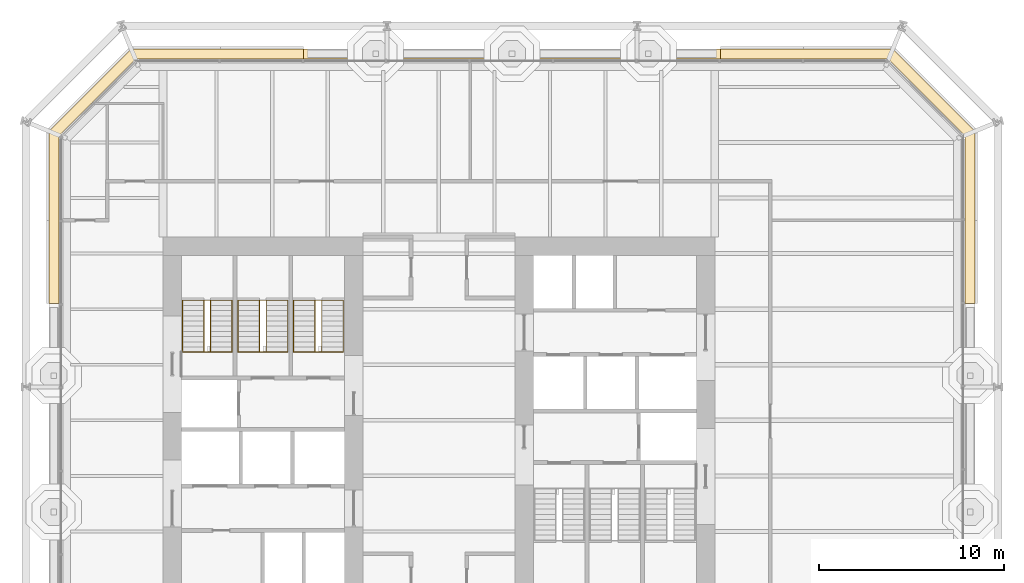
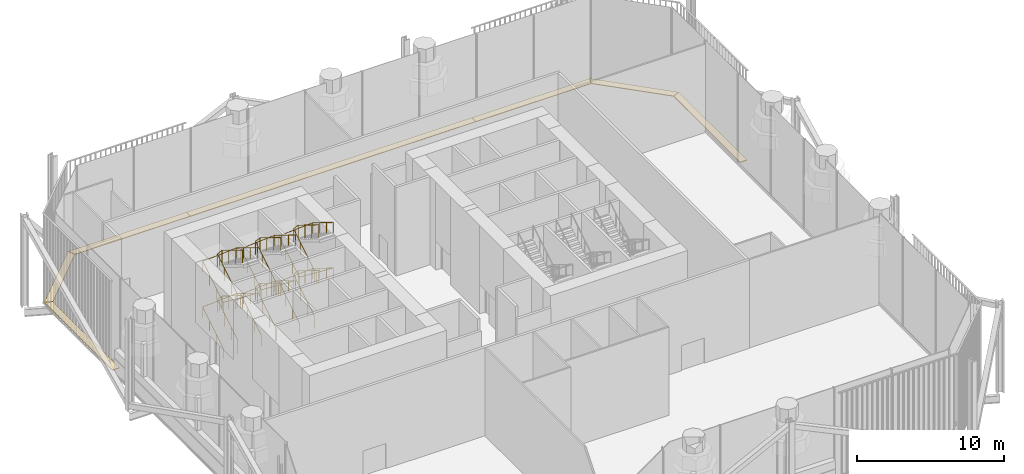
# One storey, part 17 of 18: 7 coverings, 6 railings.
"""IFC4 building model written with IfcOpenShell, lengths in metres."""

from ifc_helpers import new_model, si_unit, direction, frame, origin, origin_2d, place, context, subcontext, project, spatial, polyline, circle, outline, extrude, material, layer, layer_set, type_object, element, save


model = new_model("IFC4")

# Units and contexts
model_context = context("Model", 3, precision=1e-05, world=origin(), true_north=direction((0.0, 1.0)))
body_context = subcontext(model_context, "Body", "Model", "MODEL_VIEW")
ifc_project = project(units=[si_unit("LENGTHUNIT", "METRE"), si_unit("AREAUNIT", "SQUARE_METRE"), si_unit("VOLUMEUNIT", "CUBIC_METRE"), si_unit("PLANEANGLEUNIT", "RADIAN"), si_unit("MASSUNIT", "GRAM", prefix="KILO")], contexts=[model_context])

# Site, building, storey
site_placement = place(None, origin())
site = spatial("IfcSite", under=ifc_project, at=site_placement, CompositionType="ELEMENT")
building_placement = place(site_placement, origin())
building = spatial("IfcBuilding", under=site, at=building_placement, Name="Millrace Tower", CompositionType="ELEMENT")
storey_placement = place(building_placement, frame((0.0, 0.0, 112.800048828125)))
storey = spatial("IfcBuildingStorey", under=building, at=storey_placement, Name="L25", CompositionType="ELEMENT", Elevation=112.800048828125)

# Coverings
ifc_material_1 = material(Name="Steel ASTM A36", Category="steel")
ifc_layer = layer(ifc_material_1, 0.050048828125)
ifc_layer_set = layer_set([ifc_layer], Name="Steel ASTM A36")
covering_type = type_object("IfcCoveringType", Name="CAVITY CATWALK steel grating", PredefinedType="FLOORING", material=ifc_layer_set)
placement = place(storey_placement, frame((0.0, 0.0, 0.099853515625)))
element("IfcCovering", 1, at=placement, inside=storey, type_object=covering_type, Name="Cavity catwalk grating B-F04 L25 3", PredefinedType="FLOORING", context=body_context, shape_type="SweptSolid", body=[
    extrude(outline(polyline([(28.949951171875, 6.300048828125), (28.949951171875, 15.610595703125), (28.39990234375, 15.3828125), (28.39990234375, 6.300048828125), (28.949951171875, 6.300048828125)])), origin(), (0.0, 0.0, 1.0), 0.050048828125),
])
element("IfcCovering", 2, at=placement, inside=storey, type_object=covering_type, Name="Cavity catwalk grating B-F05 L25 1", PredefinedType="FLOORING", context=body_context, shape_type="SweptSolid", body=[
    extrude(outline(polyline([(28.949951171875, 15.610595703125), (24.5107421875, 20.050048828125), (24.282958984375, 19.5), (28.39990234375, 15.3828125), (28.949951171875, 15.610595703125)])), origin(), (0.0, 0.0, 1.0), 0.050048828125),
])
element("IfcCovering", 3, at=placement, inside=storey, type_object=covering_type, Name="Cavity catwalk grating B-F06 L25 1", PredefinedType="FLOORING", context=body_context, shape_type="SweptSolid", body=[
    extrude(outline(polyline([(24.5107421875, 20.050048828125), (15.199951171875, 20.050048828125), (15.199951171875, 19.5), (24.282958984375, 19.5), (24.5107421875, 20.050048828125)])), origin(), (0.0, 0.0, 1.0), 0.050048828125),
])
element("IfcCovering", 4, at=placement, inside=storey, type_object=covering_type, Name="Cavity catwalk grating B-F06 L25 2", PredefinedType="FLOORING", context=body_context, shape_type="SweptSolid", body=[
    extrude(outline(polyline([(15.199951171875, 20.050048828125), (-7.300048828125, 20.050048828125), (-7.300048828125, 19.5), (15.199951171875, 19.5), (15.199951171875, 20.050048828125)])), origin(), (0.0, 0.0, 1.0), 0.050048828125),
])
element("IfcCovering", 5, at=placement, inside=storey, type_object=covering_type, Name="Cavity catwalk grating B-F06 L25 3", PredefinedType="FLOORING", context=body_context, shape_type="SweptSolid", body=[
    extrude(outline(polyline([(-7.300048828125, 20.050048828125), (-16.610595703125, 20.050048828125), (-16.3828125, 19.5), (-7.300048828125, 19.5), (-7.300048828125, 20.050048828125)])), origin(), (0.0, 0.0, 1.0), 0.050048828125),
])
element("IfcCovering", 6, at=placement, inside=storey, type_object=covering_type, Name="Cavity catwalk grating B-F07 L25 1", PredefinedType="FLOORING", context=body_context, shape_type="SweptSolid", body=[
    extrude(outline(polyline([(-16.610595703125, 20.050048828125), (-21.050048828125, 15.610595703125), (-20.5, 15.3828125), (-16.3828125, 19.5), (-16.610595703125, 20.050048828125)])), origin(), (0.0, 0.0, 1.0), 0.050048828125),
])
element("IfcCovering", 7, at=placement, inside=storey, type_object=covering_type, Name="Cavity catwalk grating B-F08 L25 1", PredefinedType="FLOORING", context=body_context, shape_type="SweptSolid", body=[
    extrude(outline(polyline([(-21.050048828125, 15.610595703125), (-21.050048828125, 6.300048828125), (-20.5, 6.300048828125), (-20.5, 15.3828125), (-21.050048828125, 15.610595703125)])), origin(), (0.0, 0.0, 1.0), 0.050048828125),
])

# Railings
ifc_material_2 = material(Name="Stainless steel ASTM A240 type 316", Category="steel")
railing_type_1 = type_object("IfcRailingType", Name="Stair guard 1100", PredefinedType="GUARDRAIL", material=ifc_material_2)
railing_1_placement = place(storey_placement, frame((-12.679931640625, 3.679931640625, 0.172607421875)))
element("IfcRailing", 8, at=railing_1_placement, inside=storey, type_object=railing_type_1, Name="Stair guard 1 W L25", PredefinedType="GUARDRAIL", context=body_context, shape_type="SweptSolid", body=[
    extrude(circle(Radius=0.02392578125, at=origin_2d()), frame((0.0, 0.0, 1.076171875), z_axis=(0.0, 0.851089632645, 0.525020415988), x_axis=(-1.0, 0.0, 0.0)), (0.0, 0.0, 1.0), 3.2900390625),
    extrude(circle(Radius=0.02392578125, at=origin_2d()), frame((0.0, 2.800048828125, 2.80322265625), z_axis=(0.901408511443, 0.0, 0.432969624221), x_axis=(0.0, 1.0, 0.0)), (0.0, 0.0, 1.0), 0.399169921875),
    extrude(circle(Radius=0.02392578125, at=origin_2d()), frame((0.35986328125, 2.800048828125, 2.97607421875), z_axis=(0.0, -0.851089632645, 0.525020415988), x_axis=(1.0, 0.0, 0.0)), (0.0, 0.0, 1.0), 3.2900390625),
    extrude(circle(Radius=0.02392578125, at=origin_2d()), frame((0.35986328125, 0.0, 4.70361328125), z_axis=(-0.901647110569, 0.0, 0.432472528611), x_axis=(0.0, -1.0, 0.0)), (0.0, 0.0, 1.0), 0.399169921875),
    extrude(circle(Radius=0.02392578125, at=origin_2d()), frame((0.0, 0.0, 4.8759765625), z_axis=(0.0, 0.851089632645, 0.525020415988), x_axis=(-1.0, 0.0, 0.0)), (0.0, 0.0, 1.0), 3.2900390625),
    extrude(circle(Radius=0.02392578125, at=origin_2d()), frame((0.0, 2.800048828125, 6.603515625), z_axis=(0.901647110569, 0.0, 0.432472528611), x_axis=(0.0, 1.0, 0.0)), (0.0, 0.0, 1.0), 0.399169921875),
    extrude(circle(Radius=0.02392578125, at=origin_2d()), frame((0.35986328125, 2.800048828125, 6.77587890625), z_axis=(0.0, -0.851089632645, 0.525020415988), x_axis=(1.0, 0.0, 0.0)), (0.0, 0.0, 1.0), 3.2900390625),
    extrude(circle(Radius=0.02099609375, at=origin_2d()), origin(), (0.0, 0.0, 1.0), 1.052001953125),
    extrude(circle(Radius=0.02099609375, at=origin_2d()), frame((0.0, 0.933349609375, 0.57568359375)), (0.0, 0.0, 1.0), 1.052001953125),
    extrude(circle(Radius=0.02099609375, at=origin_2d()), frame((0.0, 1.86669921875, 1.151611328125)), (0.0, 0.0, 1.0), 1.052001953125),
    extrude(circle(Radius=0.02099609375, at=origin_2d()), frame((0.0, 2.800048828125, 1.727294921875)), (0.0, 0.0, 1.0), 1.052001953125),
    extrude(circle(Radius=0.02099609375, at=origin_2d()), frame((0.35986328125, 2.800048828125, 1.900146484375)), (0.0, 0.0, 1.0), 1.052001953125),
    extrude(circle(Radius=0.02099609375, at=origin_2d()), frame((0.35986328125, 1.86669921875, 2.475830078125)), (0.0, 0.0, 1.0), 1.052001953125),
    extrude(circle(Radius=0.02099609375, at=origin_2d()), frame((0.35986328125, 0.933349609375, 3.0517578125)), (0.0, 0.0, 1.0), 1.052001953125),
    extrude(circle(Radius=0.02099609375, at=origin_2d()), frame((0.35986328125, 0.0, 3.62744140625)), (0.0, 0.0, 1.0), 1.052001953125),
    extrude(circle(Radius=0.02099609375, at=origin_2d()), frame((0.0, 0.0, 3.800048828125)), (0.0, 0.0, 1.0), 1.052001953125),
    extrude(circle(Radius=0.02099609375, at=origin_2d()), frame((0.0, 0.933349609375, 4.375732421875)), (0.0, 0.0, 1.0), 1.052001953125),
    extrude(circle(Radius=0.02099609375, at=origin_2d()), frame((0.0, 1.86669921875, 4.95166015625)), (0.0, 0.0, 1.0), 1.052001953125),
    extrude(circle(Radius=0.02099609375, at=origin_2d()), frame((0.0, 2.800048828125, 5.52734375)), (0.0, 0.0, 1.0), 1.052001953125),
    extrude(circle(Radius=0.02099609375, at=origin_2d()), frame((0.35986328125, 2.800048828125, 5.699951171875)), (0.0, 0.0, 1.0), 1.052001953125),
    extrude(circle(Radius=0.02099609375, at=origin_2d()), frame((0.35986328125, 1.86669921875, 6.275634765625)), (0.0, 0.0, 1.0), 1.052001953125),
    extrude(circle(Radius=0.02099609375, at=origin_2d()), frame((0.35986328125, 0.933349609375, 6.8515625)), (0.0, 0.0, 1.0), 1.052001953125),
    extrude(circle(Radius=0.02099609375, at=origin_2d()), frame((0.35986328125, 0.0, 7.42724609375)), (0.0, 0.0, 1.0), 1.052001953125),
])
railing_2_placement = place(storey_placement, frame((-9.679931640625, 3.679931640625, 0.172607421875)))
element("IfcRailing", 9, at=railing_2_placement, inside=storey, type_object=railing_type_1, Name="Stair guard 2 W L25", PredefinedType="GUARDRAIL", context=body_context, shape_type="SweptSolid", body=[
    extrude(circle(Radius=0.02392578125, at=origin_2d()), frame((0.0, 0.0, 1.076171875), z_axis=(0.0, 0.851089632645, 0.525020415988), x_axis=(-1.0, 0.0, 0.0)), (0.0, 0.0, 1.0), 3.2900390625),
    extrude(circle(Radius=0.02392578125, at=origin_2d()), frame((0.0, 2.800048828125, 2.80322265625), z_axis=(0.901408511443, 0.0, 0.432969624221), x_axis=(0.0, 1.0, 0.0)), (0.0, 0.0, 1.0), 0.399169921875),
    extrude(circle(Radius=0.02392578125, at=origin_2d()), frame((0.35986328125, 2.800048828125, 2.97607421875), z_axis=(0.0, -0.851089632645, 0.525020415988), x_axis=(1.0, 0.0, 0.0)), (0.0, 0.0, 1.0), 3.2900390625),
    extrude(circle(Radius=0.02392578125, at=origin_2d()), frame((0.35986328125, 0.0, 4.70361328125), z_axis=(-0.901647110569, 0.0, 0.432472528611), x_axis=(0.0, -1.0, 0.0)), (0.0, 0.0, 1.0), 0.399169921875),
    extrude(circle(Radius=0.02392578125, at=origin_2d()), frame((0.0, 0.0, 4.8759765625), z_axis=(0.0, 0.851089632645, 0.525020415988), x_axis=(-1.0, 0.0, 0.0)), (0.0, 0.0, 1.0), 3.2900390625),
    extrude(circle(Radius=0.02392578125, at=origin_2d()), frame((0.0, 2.800048828125, 6.603515625), z_axis=(0.901647110569, 0.0, 0.432472528611), x_axis=(0.0, 1.0, 0.0)), (0.0, 0.0, 1.0), 0.399169921875),
    extrude(circle(Radius=0.02392578125, at=origin_2d()), frame((0.35986328125, 2.800048828125, 6.77587890625), z_axis=(0.0, -0.851089632645, 0.525020415988), x_axis=(1.0, 0.0, 0.0)), (0.0, 0.0, 1.0), 3.2900390625),
    extrude(circle(Radius=0.02099609375, at=origin_2d()), origin(), (0.0, 0.0, 1.0), 1.052001953125),
    extrude(circle(Radius=0.02099609375, at=origin_2d()), frame((0.0, 0.933349609375, 0.57568359375)), (0.0, 0.0, 1.0), 1.052001953125),
    extrude(circle(Radius=0.02099609375, at=origin_2d()), frame((0.0, 1.86669921875, 1.151611328125)), (0.0, 0.0, 1.0), 1.052001953125),
    extrude(circle(Radius=0.02099609375, at=origin_2d()), frame((0.0, 2.800048828125, 1.727294921875)), (0.0, 0.0, 1.0), 1.052001953125),
    extrude(circle(Radius=0.02099609375, at=origin_2d()), frame((0.35986328125, 2.800048828125, 1.900146484375)), (0.0, 0.0, 1.0), 1.052001953125),
    extrude(circle(Radius=0.02099609375, at=origin_2d()), frame((0.35986328125, 1.86669921875, 2.475830078125)), (0.0, 0.0, 1.0), 1.052001953125),
    extrude(circle(Radius=0.02099609375, at=origin_2d()), frame((0.35986328125, 0.933349609375, 3.0517578125)), (0.0, 0.0, 1.0), 1.052001953125),
    extrude(circle(Radius=0.02099609375, at=origin_2d()), frame((0.35986328125, 0.0, 3.62744140625)), (0.0, 0.0, 1.0), 1.052001953125),
    extrude(circle(Radius=0.02099609375, at=origin_2d()), frame((0.0, 0.0, 3.800048828125)), (0.0, 0.0, 1.0), 1.052001953125),
    extrude(circle(Radius=0.02099609375, at=origin_2d()), frame((0.0, 0.933349609375, 4.375732421875)), (0.0, 0.0, 1.0), 1.052001953125),
    extrude(circle(Radius=0.02099609375, at=origin_2d()), frame((0.0, 1.86669921875, 4.95166015625)), (0.0, 0.0, 1.0), 1.052001953125),
    extrude(circle(Radius=0.02099609375, at=origin_2d()), frame((0.0, 2.800048828125, 5.52734375)), (0.0, 0.0, 1.0), 1.052001953125),
    extrude(circle(Radius=0.02099609375, at=origin_2d()), frame((0.35986328125, 2.800048828125, 5.699951171875)), (0.0, 0.0, 1.0), 1.052001953125),
    extrude(circle(Radius=0.02099609375, at=origin_2d()), frame((0.35986328125, 1.86669921875, 6.275634765625)), (0.0, 0.0, 1.0), 1.052001953125),
    extrude(circle(Radius=0.02099609375, at=origin_2d()), frame((0.35986328125, 0.933349609375, 6.8515625)), (0.0, 0.0, 1.0), 1.052001953125),
    extrude(circle(Radius=0.02099609375, at=origin_2d()), frame((0.35986328125, 0.0, 7.42724609375)), (0.0, 0.0, 1.0), 1.052001953125),
])
railing_3_placement = place(storey_placement, frame((-6.679931640625, 3.679931640625, 0.172607421875)))
element("IfcRailing", 10, at=railing_3_placement, inside=storey, type_object=railing_type_1, Name="Stair guard 3 W L25", PredefinedType="GUARDRAIL", context=body_context, shape_type="SweptSolid", body=[
    extrude(circle(Radius=0.02392578125, at=origin_2d()), frame((0.0, 0.0, 1.076171875), z_axis=(0.0, 0.851089632645, 0.525020415988), x_axis=(-1.0, 0.0, 0.0)), (0.0, 0.0, 1.0), 3.2900390625),
    extrude(circle(Radius=0.02392578125, at=origin_2d()), frame((0.0, 2.800048828125, 2.80322265625), z_axis=(0.901408511443, 0.0, 0.432969624221), x_axis=(0.0, 1.0, 0.0)), (0.0, 0.0, 1.0), 0.399169921875),
    extrude(circle(Radius=0.02392578125, at=origin_2d()), frame((0.35986328125, 2.800048828125, 2.97607421875), z_axis=(0.0, -0.851089632645, 0.525020415988), x_axis=(1.0, 0.0, 0.0)), (0.0, 0.0, 1.0), 3.2900390625),
    extrude(circle(Radius=0.02392578125, at=origin_2d()), frame((0.35986328125, 0.0, 4.70361328125), z_axis=(-0.901647110569, 0.0, 0.432472528611), x_axis=(0.0, -1.0, 0.0)), (0.0, 0.0, 1.0), 0.399169921875),
    extrude(circle(Radius=0.02392578125, at=origin_2d()), frame((0.0, 0.0, 4.8759765625), z_axis=(0.0, 0.851089632645, 0.525020415988), x_axis=(-1.0, 0.0, 0.0)), (0.0, 0.0, 1.0), 3.2900390625),
    extrude(circle(Radius=0.02392578125, at=origin_2d()), frame((0.0, 2.800048828125, 6.603515625), z_axis=(0.901647110569, 0.0, 0.432472528611), x_axis=(0.0, 1.0, 0.0)), (0.0, 0.0, 1.0), 0.399169921875),
    extrude(circle(Radius=0.02392578125, at=origin_2d()), frame((0.35986328125, 2.800048828125, 6.77587890625), z_axis=(0.0, -0.851089632645, 0.525020415988), x_axis=(1.0, 0.0, 0.0)), (0.0, 0.0, 1.0), 3.2900390625),
    extrude(circle(Radius=0.02099609375, at=origin_2d()), origin(), (0.0, 0.0, 1.0), 1.052001953125),
    extrude(circle(Radius=0.02099609375, at=origin_2d()), frame((0.0, 0.933349609375, 0.57568359375)), (0.0, 0.0, 1.0), 1.052001953125),
    extrude(circle(Radius=0.02099609375, at=origin_2d()), frame((0.0, 1.86669921875, 1.151611328125)), (0.0, 0.0, 1.0), 1.052001953125),
    extrude(circle(Radius=0.02099609375, at=origin_2d()), frame((0.0, 2.800048828125, 1.727294921875)), (0.0, 0.0, 1.0), 1.052001953125),
    extrude(circle(Radius=0.02099609375, at=origin_2d()), frame((0.35986328125, 2.800048828125, 1.900146484375)), (0.0, 0.0, 1.0), 1.052001953125),
    extrude(circle(Radius=0.02099609375, at=origin_2d()), frame((0.35986328125, 1.86669921875, 2.475830078125)), (0.0, 0.0, 1.0), 1.052001953125),
    extrude(circle(Radius=0.02099609375, at=origin_2d()), frame((0.35986328125, 0.933349609375, 3.0517578125)), (0.0, 0.0, 1.0), 1.052001953125),
    extrude(circle(Radius=0.02099609375, at=origin_2d()), frame((0.35986328125, 0.0, 3.62744140625)), (0.0, 0.0, 1.0), 1.052001953125),
    extrude(circle(Radius=0.02099609375, at=origin_2d()), frame((0.0, 0.0, 3.800048828125)), (0.0, 0.0, 1.0), 1.052001953125),
    extrude(circle(Radius=0.02099609375, at=origin_2d()), frame((0.0, 0.933349609375, 4.375732421875)), (0.0, 0.0, 1.0), 1.052001953125),
    extrude(circle(Radius=0.02099609375, at=origin_2d()), frame((0.0, 1.86669921875, 4.95166015625)), (0.0, 0.0, 1.0), 1.052001953125),
    extrude(circle(Radius=0.02099609375, at=origin_2d()), frame((0.0, 2.800048828125, 5.52734375)), (0.0, 0.0, 1.0), 1.052001953125),
    extrude(circle(Radius=0.02099609375, at=origin_2d()), frame((0.35986328125, 2.800048828125, 5.699951171875)), (0.0, 0.0, 1.0), 1.052001953125),
    extrude(circle(Radius=0.02099609375, at=origin_2d()), frame((0.35986328125, 1.86669921875, 6.275634765625)), (0.0, 0.0, 1.0), 1.052001953125),
    extrude(circle(Radius=0.02099609375, at=origin_2d()), frame((0.35986328125, 0.933349609375, 6.8515625)), (0.0, 0.0, 1.0), 1.052001953125),
    extrude(circle(Radius=0.02099609375, at=origin_2d()), frame((0.35986328125, 0.0, 7.42724609375)), (0.0, 0.0, 1.0), 1.052001953125),
])
ifc_material_3 = material(Name="Stainless steel ASTM A240 type 316", Category="steel")
railing_type_2 = type_object("IfcRailingType", Name="Stair handrail 900", PredefinedType="HANDRAIL", material=ifc_material_3)
railing_4_placement = place(storey_placement, frame((-13.840087890625, 3.679931640625, 0.172607421875)))
element("IfcRailing", 11, at=railing_4_placement, inside=storey, type_object=railing_type_2, Name="Stair handrail 1 W L25", PredefinedType="HANDRAIL", context=body_context, shape_type="SweptSolid", body=[
    extrude(circle(Radius=0.02392578125, at=origin_2d()), frame((0.0, 0.0, 0.8759765625), z_axis=(0.0, 0.851089632645, 0.525020415988), x_axis=(-1.0, 0.0, 0.0)), (0.0, 0.0, 1.0), 3.2900390625),
    extrude(circle(Radius=0.02392578125, at=origin_2d()), frame((0.0, 2.800048828125, 2.60302734375), z_axis=(0.997926815885, 0.0, 0.064358916528), x_axis=(0.0, 1.0, 0.0)), (0.0, 0.0, 1.0), 2.685791015625),
    extrude(circle(Radius=0.02392578125, at=origin_2d()), frame((2.68017578125, 2.800048828125, 2.77587890625), z_axis=(0.0, -0.851089632645, 0.525020415988), x_axis=(1.0, 0.0, 0.0)), (0.0, 0.0, 1.0), 3.2900390625),
    extrude(circle(Radius=0.02392578125, at=origin_2d()), frame((2.68017578125, 0.0, 4.50341796875), z_axis=(-0.997932650066, 0.0, 0.064268389834), x_axis=(0.0, -1.0, 0.0)), (0.0, 0.0, 1.0), 2.685791015625),
    extrude(circle(Radius=0.02392578125, at=origin_2d()), frame((0.0, 0.0, 4.67578125), z_axis=(0.0, 0.851089632645, 0.525020415988), x_axis=(-1.0, 0.0, 0.0)), (0.0, 0.0, 1.0), 3.2900390625),
    extrude(circle(Radius=0.02392578125, at=origin_2d()), frame((0.0, 2.800048828125, 6.4033203125), z_axis=(0.997932650066, 0.0, 0.064268389834), x_axis=(0.0, 1.0, 0.0)), (0.0, 0.0, 1.0), 2.685791015625),
    extrude(circle(Radius=0.02392578125, at=origin_2d()), frame((2.68017578125, 2.800048828125, 6.57568359375), z_axis=(0.0, -0.851089632645, 0.525020415988), x_axis=(1.0, 0.0, 0.0)), (0.0, 0.0, 1.0), 3.2900390625),
    extrude(circle(Radius=0.02099609375, at=origin_2d()), origin(), (0.0, 0.0, 1.0), 0.851806640625),
    extrude(circle(Radius=0.02099609375, at=origin_2d()), frame((0.0, 0.933349609375, 0.57568359375)), (0.0, 0.0, 1.0), 0.851806640625),
    extrude(circle(Radius=0.02099609375, at=origin_2d()), frame((0.0, 1.86669921875, 1.151611328125)), (0.0, 0.0, 1.0), 0.851806640625),
    extrude(circle(Radius=0.02099609375, at=origin_2d()), frame((0.0, 2.800048828125, 1.727294921875)), (0.0, 0.0, 1.0), 0.851806640625),
    extrude(circle(Radius=0.02099609375, at=origin_2d()), frame((1.340087890625, 2.800048828125, 1.813720703125)), (0.0, 0.0, 1.0), 0.851806640625),
    extrude(circle(Radius=0.02099609375, at=origin_2d()), frame((2.68017578125, 2.800048828125, 1.900146484375)), (0.0, 0.0, 1.0), 0.851806640625),
    extrude(circle(Radius=0.02099609375, at=origin_2d()), frame((2.68017578125, 1.86669921875, 2.475830078125)), (0.0, 0.0, 1.0), 0.851806640625),
    extrude(circle(Radius=0.02099609375, at=origin_2d()), frame((2.68017578125, 0.933349609375, 3.0517578125)), (0.0, 0.0, 1.0), 0.851806640625),
    extrude(circle(Radius=0.02099609375, at=origin_2d()), frame((2.68017578125, 0.0, 3.62744140625)), (0.0, 0.0, 1.0), 0.851806640625),
    extrude(circle(Radius=0.02099609375, at=origin_2d()), frame((1.340087890625, 0.0, 3.7138671875)), (0.0, 0.0, 1.0), 0.851806640625),
    extrude(circle(Radius=0.02099609375, at=origin_2d()), frame((0.0, 0.0, 3.800048828125)), (0.0, 0.0, 1.0), 0.851806640625),
    extrude(circle(Radius=0.02099609375, at=origin_2d()), frame((0.0, 0.933349609375, 4.375732421875)), (0.0, 0.0, 1.0), 0.851806640625),
    extrude(circle(Radius=0.02099609375, at=origin_2d()), frame((0.0, 1.86669921875, 4.95166015625)), (0.0, 0.0, 1.0), 0.851806640625),
    extrude(circle(Radius=0.02099609375, at=origin_2d()), frame((0.0, 2.800048828125, 5.52734375)), (0.0, 0.0, 1.0), 0.851806640625),
    extrude(circle(Radius=0.02099609375, at=origin_2d()), frame((1.340087890625, 2.800048828125, 5.61376953125)), (0.0, 0.0, 1.0), 0.851806640625),
    extrude(circle(Radius=0.02099609375, at=origin_2d()), frame((2.68017578125, 2.800048828125, 5.699951171875)), (0.0, 0.0, 1.0), 0.851806640625),
    extrude(circle(Radius=0.02099609375, at=origin_2d()), frame((2.68017578125, 1.86669921875, 6.275634765625)), (0.0, 0.0, 1.0), 0.851806640625),
    extrude(circle(Radius=0.02099609375, at=origin_2d()), frame((2.68017578125, 0.933349609375, 6.8515625)), (0.0, 0.0, 1.0), 0.851806640625),
    extrude(circle(Radius=0.02099609375, at=origin_2d()), frame((2.68017578125, 0.0, 7.42724609375)), (0.0, 0.0, 1.0), 0.851806640625),
])
railing_5_placement = place(storey_placement, frame((-10.840087890625, 3.679931640625, 0.172607421875)))
element("IfcRailing", 12, at=railing_5_placement, inside=storey, type_object=railing_type_2, Name="Stair handrail 2 W L25", PredefinedType="HANDRAIL", context=body_context, shape_type="SweptSolid", body=[
    extrude(circle(Radius=0.02392578125, at=origin_2d()), frame((0.0, 0.0, 0.8759765625), z_axis=(0.0, 0.851089632645, 0.525020415988), x_axis=(-1.0, 0.0, 0.0)), (0.0, 0.0, 1.0), 3.2900390625),
    extrude(circle(Radius=0.02392578125, at=origin_2d()), frame((0.0, 2.800048828125, 2.60302734375), z_axis=(0.997926815885, 0.0, 0.064358916528), x_axis=(0.0, 1.0, 0.0)), (0.0, 0.0, 1.0), 2.685791015625),
    extrude(circle(Radius=0.02392578125, at=origin_2d()), frame((2.68017578125, 2.800048828125, 2.77587890625), z_axis=(0.0, -0.851089632645, 0.525020415988), x_axis=(1.0, 0.0, 0.0)), (0.0, 0.0, 1.0), 3.2900390625),
    extrude(circle(Radius=0.02392578125, at=origin_2d()), frame((2.68017578125, 0.0, 4.50341796875), z_axis=(-0.997932650066, 0.0, 0.064268389834), x_axis=(0.0, -1.0, 0.0)), (0.0, 0.0, 1.0), 2.685791015625),
    extrude(circle(Radius=0.02392578125, at=origin_2d()), frame((0.0, 0.0, 4.67578125), z_axis=(0.0, 0.851089632645, 0.525020415988), x_axis=(-1.0, 0.0, 0.0)), (0.0, 0.0, 1.0), 3.2900390625),
    extrude(circle(Radius=0.02392578125, at=origin_2d()), frame((0.0, 2.800048828125, 6.4033203125), z_axis=(0.997932650066, 0.0, 0.064268389834), x_axis=(0.0, 1.0, 0.0)), (0.0, 0.0, 1.0), 2.685791015625),
    extrude(circle(Radius=0.02392578125, at=origin_2d()), frame((2.68017578125, 2.800048828125, 6.57568359375), z_axis=(0.0, -0.851089632645, 0.525020415988), x_axis=(1.0, 0.0, 0.0)), (0.0, 0.0, 1.0), 3.2900390625),
    extrude(circle(Radius=0.02099609375, at=origin_2d()), origin(), (0.0, 0.0, 1.0), 0.851806640625),
    extrude(circle(Radius=0.02099609375, at=origin_2d()), frame((0.0, 0.933349609375, 0.57568359375)), (0.0, 0.0, 1.0), 0.851806640625),
    extrude(circle(Radius=0.02099609375, at=origin_2d()), frame((0.0, 1.86669921875, 1.151611328125)), (0.0, 0.0, 1.0), 0.851806640625),
    extrude(circle(Radius=0.02099609375, at=origin_2d()), frame((0.0, 2.800048828125, 1.727294921875)), (0.0, 0.0, 1.0), 0.851806640625),
    extrude(circle(Radius=0.02099609375, at=origin_2d()), frame((1.340087890625, 2.800048828125, 1.813720703125)), (0.0, 0.0, 1.0), 0.851806640625),
    extrude(circle(Radius=0.02099609375, at=origin_2d()), frame((2.68017578125, 2.800048828125, 1.900146484375)), (0.0, 0.0, 1.0), 0.851806640625),
    extrude(circle(Radius=0.02099609375, at=origin_2d()), frame((2.68017578125, 1.86669921875, 2.475830078125)), (0.0, 0.0, 1.0), 0.851806640625),
    extrude(circle(Radius=0.02099609375, at=origin_2d()), frame((2.68017578125, 0.933349609375, 3.0517578125)), (0.0, 0.0, 1.0), 0.851806640625),
    extrude(circle(Radius=0.02099609375, at=origin_2d()), frame((2.68017578125, 0.0, 3.62744140625)), (0.0, 0.0, 1.0), 0.851806640625),
    extrude(circle(Radius=0.02099609375, at=origin_2d()), frame((1.340087890625, 0.0, 3.7138671875)), (0.0, 0.0, 1.0), 0.851806640625),
    extrude(circle(Radius=0.02099609375, at=origin_2d()), frame((0.0, 0.0, 3.800048828125)), (0.0, 0.0, 1.0), 0.851806640625),
    extrude(circle(Radius=0.02099609375, at=origin_2d()), frame((0.0, 0.933349609375, 4.375732421875)), (0.0, 0.0, 1.0), 0.851806640625),
    extrude(circle(Radius=0.02099609375, at=origin_2d()), frame((0.0, 1.86669921875, 4.95166015625)), (0.0, 0.0, 1.0), 0.851806640625),
    extrude(circle(Radius=0.02099609375, at=origin_2d()), frame((0.0, 2.800048828125, 5.52734375)), (0.0, 0.0, 1.0), 0.851806640625),
    extrude(circle(Radius=0.02099609375, at=origin_2d()), frame((1.340087890625, 2.800048828125, 5.61376953125)), (0.0, 0.0, 1.0), 0.851806640625),
    extrude(circle(Radius=0.02099609375, at=origin_2d()), frame((2.68017578125, 2.800048828125, 5.699951171875)), (0.0, 0.0, 1.0), 0.851806640625),
    extrude(circle(Radius=0.02099609375, at=origin_2d()), frame((2.68017578125, 1.86669921875, 6.275634765625)), (0.0, 0.0, 1.0), 0.851806640625),
    extrude(circle(Radius=0.02099609375, at=origin_2d()), frame((2.68017578125, 0.933349609375, 6.8515625)), (0.0, 0.0, 1.0), 0.851806640625),
    extrude(circle(Radius=0.02099609375, at=origin_2d()), frame((2.68017578125, 0.0, 7.42724609375)), (0.0, 0.0, 1.0), 0.851806640625),
])
railing_6_placement = place(storey_placement, frame((-7.840087890625, 3.679931640625, 0.172607421875)))
element("IfcRailing", 13, at=railing_6_placement, inside=storey, type_object=railing_type_2, Name="Stair handrail 3 W L25", PredefinedType="HANDRAIL", context=body_context, shape_type="SweptSolid", body=[
    extrude(circle(Radius=0.02392578125, at=origin_2d()), frame((0.0, 0.0, 0.8759765625), z_axis=(0.0, 0.851089632645, 0.525020415988), x_axis=(-1.0, 0.0, 0.0)), (0.0, 0.0, 1.0), 3.2900390625),
    extrude(circle(Radius=0.02392578125, at=origin_2d()), frame((0.0, 2.800048828125, 2.60302734375), z_axis=(0.997926815885, 0.0, 0.064358916528), x_axis=(0.0, 1.0, 0.0)), (0.0, 0.0, 1.0), 2.685791015625),
    extrude(circle(Radius=0.02392578125, at=origin_2d()), frame((2.68017578125, 2.800048828125, 2.77587890625), z_axis=(0.0, -0.851089632645, 0.525020415988), x_axis=(1.0, 0.0, 0.0)), (0.0, 0.0, 1.0), 3.2900390625),
    extrude(circle(Radius=0.02392578125, at=origin_2d()), frame((2.68017578125, 0.0, 4.50341796875), z_axis=(-0.997932650066, 0.0, 0.064268389834), x_axis=(0.0, -1.0, 0.0)), (0.0, 0.0, 1.0), 2.685791015625),
    extrude(circle(Radius=0.02392578125, at=origin_2d()), frame((0.0, 0.0, 4.67578125), z_axis=(0.0, 0.851089632645, 0.525020415988), x_axis=(-1.0, 0.0, 0.0)), (0.0, 0.0, 1.0), 3.2900390625),
    extrude(circle(Radius=0.02392578125, at=origin_2d()), frame((0.0, 2.800048828125, 6.4033203125), z_axis=(0.997932650066, 0.0, 0.064268389834), x_axis=(0.0, 1.0, 0.0)), (0.0, 0.0, 1.0), 2.685791015625),
    extrude(circle(Radius=0.02392578125, at=origin_2d()), frame((2.68017578125, 2.800048828125, 6.57568359375), z_axis=(0.0, -0.851089632645, 0.525020415988), x_axis=(1.0, 0.0, 0.0)), (0.0, 0.0, 1.0), 3.2900390625),
    extrude(circle(Radius=0.02099609375, at=origin_2d()), origin(), (0.0, 0.0, 1.0), 0.851806640625),
    extrude(circle(Radius=0.02099609375, at=origin_2d()), frame((0.0, 0.933349609375, 0.57568359375)), (0.0, 0.0, 1.0), 0.851806640625),
    extrude(circle(Radius=0.02099609375, at=origin_2d()), frame((0.0, 1.86669921875, 1.151611328125)), (0.0, 0.0, 1.0), 0.851806640625),
    extrude(circle(Radius=0.02099609375, at=origin_2d()), frame((0.0, 2.800048828125, 1.727294921875)), (0.0, 0.0, 1.0), 0.851806640625),
    extrude(circle(Radius=0.02099609375, at=origin_2d()), frame((1.340087890625, 2.800048828125, 1.813720703125)), (0.0, 0.0, 1.0), 0.851806640625),
    extrude(circle(Radius=0.02099609375, at=origin_2d()), frame((2.68017578125, 2.800048828125, 1.900146484375)), (0.0, 0.0, 1.0), 0.851806640625),
    extrude(circle(Radius=0.02099609375, at=origin_2d()), frame((2.68017578125, 1.86669921875, 2.475830078125)), (0.0, 0.0, 1.0), 0.851806640625),
    extrude(circle(Radius=0.02099609375, at=origin_2d()), frame((2.68017578125, 0.933349609375, 3.0517578125)), (0.0, 0.0, 1.0), 0.851806640625),
    extrude(circle(Radius=0.02099609375, at=origin_2d()), frame((2.68017578125, 0.0, 3.62744140625)), (0.0, 0.0, 1.0), 0.851806640625),
    extrude(circle(Radius=0.02099609375, at=origin_2d()), frame((1.340087890625, 0.0, 3.7138671875)), (0.0, 0.0, 1.0), 0.851806640625),
    extrude(circle(Radius=0.02099609375, at=origin_2d()), frame((0.0, 0.0, 3.800048828125)), (0.0, 0.0, 1.0), 0.851806640625),
    extrude(circle(Radius=0.02099609375, at=origin_2d()), frame((0.0, 0.933349609375, 4.375732421875)), (0.0, 0.0, 1.0), 0.851806640625),
    extrude(circle(Radius=0.02099609375, at=origin_2d()), frame((0.0, 1.86669921875, 4.95166015625)), (0.0, 0.0, 1.0), 0.851806640625),
    extrude(circle(Radius=0.02099609375, at=origin_2d()), frame((0.0, 2.800048828125, 5.52734375)), (0.0, 0.0, 1.0), 0.851806640625),
    extrude(circle(Radius=0.02099609375, at=origin_2d()), frame((1.340087890625, 2.800048828125, 5.61376953125)), (0.0, 0.0, 1.0), 0.851806640625),
    extrude(circle(Radius=0.02099609375, at=origin_2d()), frame((2.68017578125, 2.800048828125, 5.699951171875)), (0.0, 0.0, 1.0), 0.851806640625),
    extrude(circle(Radius=0.02099609375, at=origin_2d()), frame((2.68017578125, 1.86669921875, 6.275634765625)), (0.0, 0.0, 1.0), 0.851806640625),
    extrude(circle(Radius=0.02099609375, at=origin_2d()), frame((2.68017578125, 0.933349609375, 6.8515625)), (0.0, 0.0, 1.0), 0.851806640625),
    extrude(circle(Radius=0.02099609375, at=origin_2d()), frame((2.68017578125, 0.0, 7.42724609375)), (0.0, 0.0, 1.0), 0.851806640625),
])

save(model, "model.ifc")
